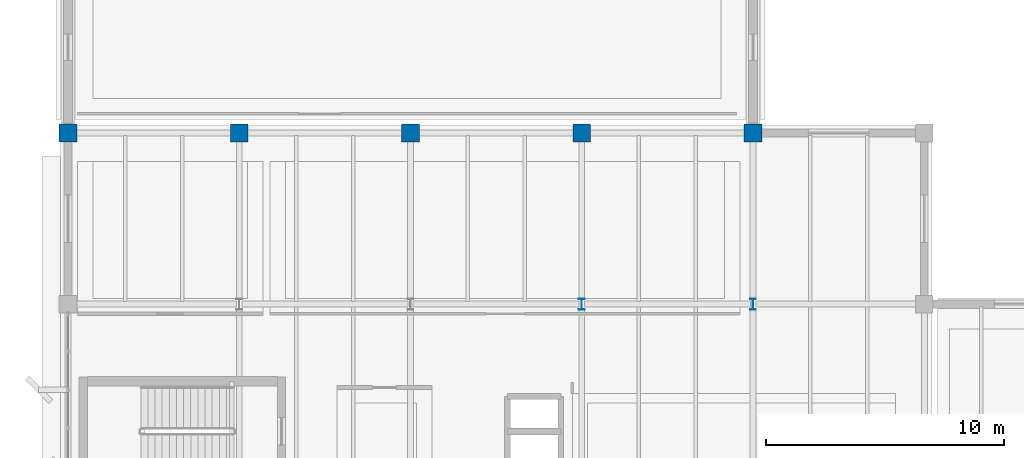
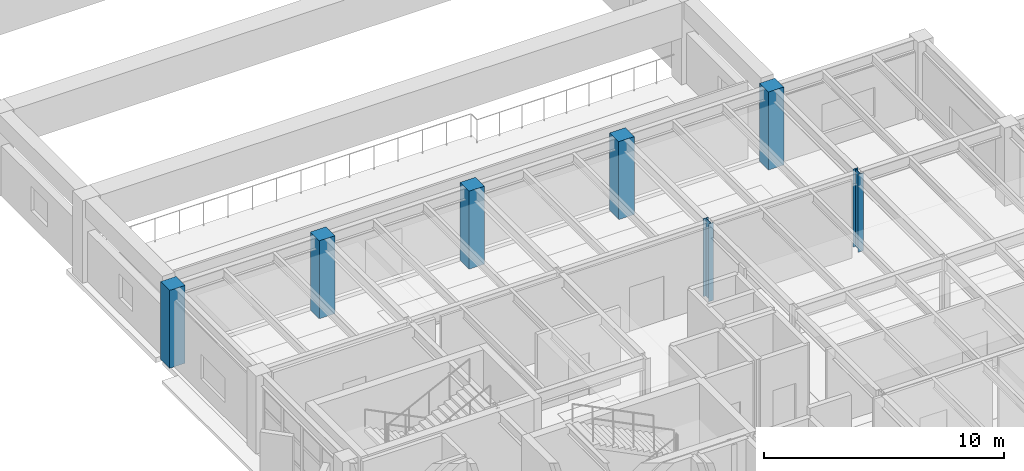
# One storey, part 2 of 37: 7 columns.
"""IFC4 building model written with IfcOpenShell, lengths in metres."""

from ifc_helpers import new_model, si_unit, direction, frame, origin, origin_2d, place, context, subcontext, project, spatial, rectangle, i_section, extrude, material, material_profile, profile_set, type_object, element, save


model = new_model("IFC4")

# Units and contexts
model_context = context("Model", 3, precision=1e-05, world=origin(), true_north=direction((0.0, 1.0)))
body_context = subcontext(model_context, "Body", "Model", "MODEL_VIEW")
ifc_project = project(units=[si_unit("LENGTHUNIT", "METRE"), si_unit("AREAUNIT", "SQUARE_METRE"), si_unit("VOLUMEUNIT", "CUBIC_METRE"), si_unit("PLANEANGLEUNIT", "RADIAN"), si_unit("MASSUNIT", "GRAM", prefix="KILO")], contexts=[model_context])

# Site, building, storey
site_placement = place(None, origin())
site = spatial("IfcSite", under=ifc_project, at=site_placement, CompositionType="ELEMENT")
building_placement = place(site_placement, origin())
building = spatial("IfcBuilding", under=site, at=building_placement, Name="Kandorven Conservatory and Botanical Research Centre", CompositionType="ELEMENT")
storey_placement = place(building_placement, frame((0.0, 0.0, 9.0)))
storey = spatial("IfcBuildingStorey", under=building, at=storey_placement, Name="L02", CompositionType="ELEMENT", Elevation=9.0)

# Columns
ifc_material_1 = material(Name="Steel S355 (IS 2062 E350)", Category="steel")
ifc_material_profile_1 = material_profile(ifc_material_1, i_section(OverallWidth=0.25, OverallDepth=0.449951171875, WebThickness=0.01123046875, FlangeThickness=0.013671875, at=origin_2d()))
ifc_profile_set_1 = profile_set([ifc_material_profile_1], Name="Steel S355 (IS 2062 E350)")
column_type_1 = type_object("IfcColumnType", Name="Col_SC-01", PredefinedType="COLUMN", material=ifc_profile_set_1)
for number, where, z_axis, x_axis, name in (
    (1, (27.60009765625, 27.60009765625, 0.0), (0.0, 0.0, 1.0), (1.0, 0.0, 0.0), "Column SC-01 TWR L02 (4,4)"),
    (2, (34.800048828125, 27.60009765625, 0.0), (0.0, 0.0, 1.0), (1.0, 0.0, 0.0), "Column SC-01 TWR L02 (5,4)"),
):
    element("IfcColumn", number, at=place(storey_placement, frame(where, z_axis=z_axis, x_axis=x_axis)), inside=storey, type_object=column_type_1, Name=name, PredefinedType="COLUMN", context=body_context, shape_type="SweptSolid", body=[
        extrude(i_section(OverallWidth=0.25, OverallDepth=0.449951171875, WebThickness=0.01123046875, FlangeThickness=0.013671875, at=origin_2d()), origin(), (0.0, 0.0, 1.0), 3.9599609375),
    ])
ifc_material_2 = material(Name="Concrete C40/50 (M50)", Category="concrete")
ifc_material_profile_2 = material_profile(ifc_material_2, rectangle(XDim=0.75, YDim=0.75, at=origin_2d()))
ifc_profile_set_2 = profile_set([ifc_material_profile_2], Name="Concrete C40/50 (M50)")
column_type_2 = type_object("IfcColumnType", Name="Col_TC-03", PredefinedType="COLUMN", material=ifc_profile_set_2)
for number, where, z_axis, x_axis, name in (
    (3, (6.0, 34.800048828125, 0.0), (0.0, 0.0, 1.0), (1.0, 0.0, 0.0), "Column TC-03 TWR L02 (1,5)"),
    (4, (13.199951171875, 34.800048828125, 0.0), (0.0, 0.0, 1.0), (1.0, 0.0, 0.0), "Column TC-03 TWR L02 (2,5)"),
    (5, (20.39990234375, 34.800048828125, 0.0), (0.0, 0.0, 1.0), (1.0, 0.0, 0.0), "Column TC-03 TWR L02 (3,5)"),
    (6, (27.60009765625, 34.800048828125, 0.0), (0.0, 0.0, 1.0), (1.0, 0.0, 0.0), "Column TC-03 TWR L02 (4,5)"),
    (7, (34.800048828125, 34.800048828125, 0.0), (0.0, 0.0, 1.0), (1.0, 0.0, 0.0), "Column TC-03 TWR L02 (5,5)"),
):
    element("IfcColumn", number, at=place(storey_placement, frame(where, z_axis=z_axis, x_axis=x_axis)), inside=storey, type_object=column_type_2, Name=name, PredefinedType="COLUMN", context=body_context, shape_type="SweptSolid", body=[
        extrude(rectangle(XDim=0.75, YDim=0.75, at=origin_2d()), origin(), (0.0, 0.0, 1.0), 3.9599609375),
    ])

save(model, "model.ifc")
